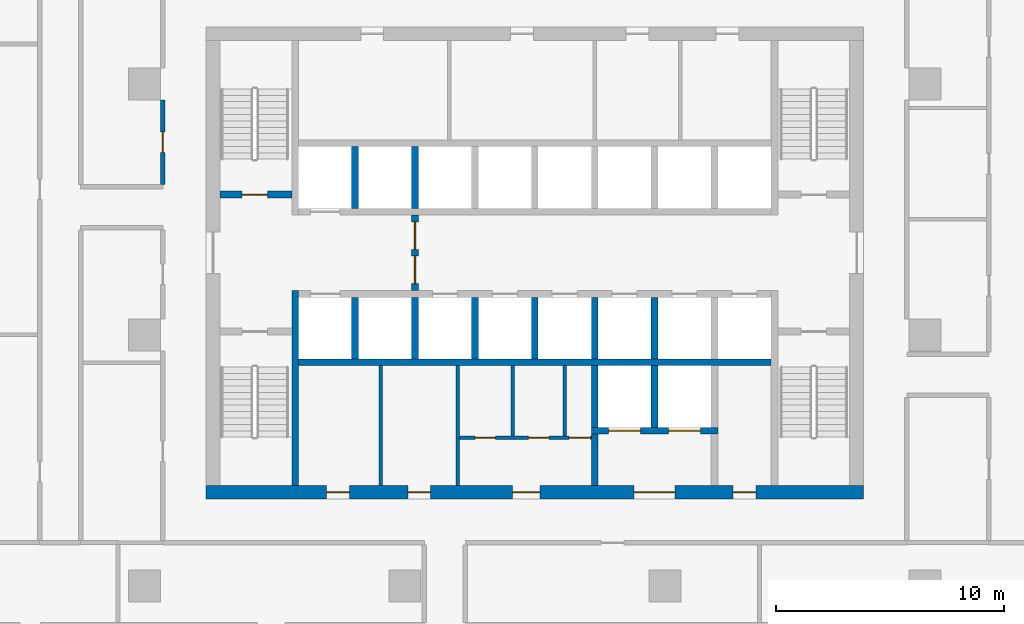
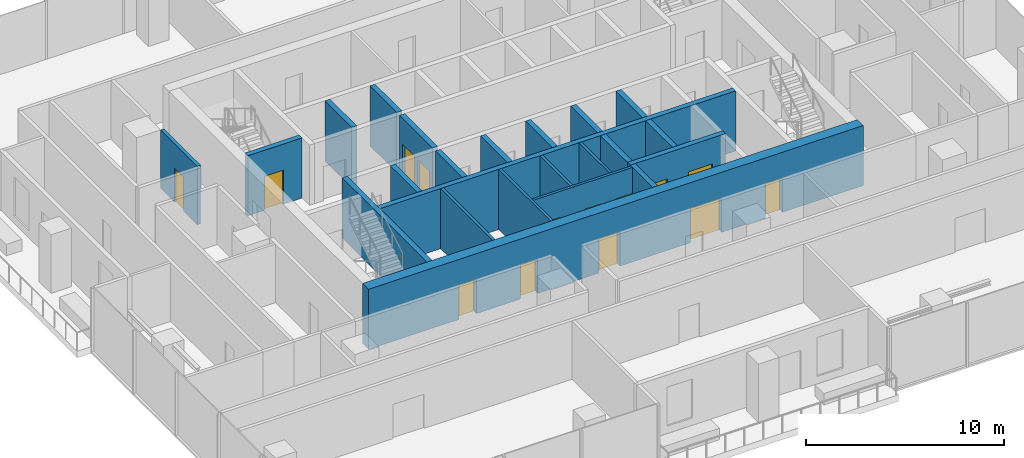
# One storey, part 8 of 15: 23 walls, 14 doors, 14 openings.
"""IFC4 building model written with IfcOpenShell, lengths in metres."""

from ifc_helpers import new_model, si_unit, direction, frame, frame_2d, origin, place, context, subcontext, project, spatial, rectangle, extrude, material, layer, layer_set, type_object, element, fill, save


model = new_model("IFC4")

# Units and contexts
model_context = context("Model", 3, precision=1e-05, world=origin(), true_north=direction((0.0, 1.0)))
body_context = subcontext(model_context, "Body", "Model", "MODEL_VIEW")
ifc_project = project(units=[si_unit("LENGTHUNIT", "METRE"), si_unit("AREAUNIT", "SQUARE_METRE"), si_unit("VOLUMEUNIT", "CUBIC_METRE"), si_unit("PLANEANGLEUNIT", "RADIAN"), si_unit("MASSUNIT", "GRAM", prefix="KILO")], contexts=[model_context])

# Site, building, storey
site_placement = place(None, origin())
site = spatial("IfcSite", under=ifc_project, at=site_placement, CompositionType="ELEMENT")
building_placement = place(site_placement, origin())
building = spatial("IfcBuilding", under=site, at=building_placement, Name="Mopane Tessera Tower", CompositionType="ELEMENT")
storey_placement = place(building_placement, frame((0.0, 0.0, 177.0)))
storey = spatial("IfcBuildingStorey", under=building, at=storey_placement, Name="L36", CompositionType="ELEMENT", Elevation=177.0)

# Walls
ifc_material_1 = material(Name="Fire-rated gypsum board partition")
ifc_layer_1 = layer(ifc_material_1, 0.14990234375)
ifc_layer_set_1 = layer_set([ifc_layer_1], Name="Fire-rated gypsum board partition")
wall_type_1 = type_object("IfcWallType", Name="Core room partition 150 mm", PredefinedType="PARTITIONING", material=ifc_layer_set_1)
for number, where, z_axis, x_axis, name in (
    (1, (-6.75, -6.60009765625, 0.0), (0.0, 0.0, 1.0), (0.0, 1.0, 0.0), "L36 Room partition"),
    (2, (-3.375, -6.60009765625, 0.0), (0.0, 0.0, 1.0), (0.0, 1.0, 0.0), "L36 Room partition"),
):
    element("IfcWall", number, at=place(storey_placement, frame(where, z_axis=z_axis, x_axis=x_axis)), inside=storey, type_object=wall_type_1, Name=name, PredefinedType="PARTITIONING", context=body_context, shape_type="SweptSolid", body=[
        extrude(rectangle(XDim=5.25, YDim=0.14990234375, at=frame_2d((2.625, 0.0))), origin(), (0.0, 0.0, 1.0), 3.699951171875),
    ])

# Wall, openings, doors
wall_1_placement = place(storey_placement, frame((-3.300048828125, -4.5, 0.0), z_axis=(0.0, 0.0, 1.0), x_axis=(1.0, 0.0, 0.0)))
wall_1 = element("IfcWall", 3, at=wall_1_placement, inside=storey, type_object=wall_type_1, Name="L36 WC partition", PredefinedType="PARTITIONING", context=body_context, shape_type="SweptSolid", body=[
    extrude(rectangle(XDim=5.775146484375, YDim=0.14990234375, at=frame_2d((2.8876953125, 0.0))), origin(), (0.0, 0.0, 1.0), 3.699951171875),
])
opening_1_placement = place(wall_1_placement, frame((0.675048828125, 0.0, 0.0)))
opening_1 = element("IfcOpeningElement", 4, at=opening_1_placement, cuts=wall_1, Name="Opening WD1", PredefinedType="OPENING", context=body_context, shape_type="SweptSolid", body=[
    extrude(rectangle(XDim=0.89990234375, YDim=2.10009765625, at=frame_2d((0.449951171875, 1.050048828125))), frame((0.0, 0.0869140625, 0.0), z_axis=(0.0, -1.0, 0.0), x_axis=(1.0, 0.0, 0.0)), (0.0, 0.0, 1.0), 0.173828125),
])
opening_2_placement = place(wall_1_placement, frame((3.014892578125, 0.0, 0.0)))
opening_2 = element("IfcOpeningElement", 5, at=opening_2_placement, cuts=wall_1, Name="Opening WD1", PredefinedType="OPENING", context=body_context, shape_type="SweptSolid", body=[
    extrude(rectangle(XDim=0.89990234375, YDim=2.10009765625, at=frame_2d((0.449951171875, 1.050048828125))), frame((0.0, 0.0869140625, 0.0), z_axis=(0.0, -1.0, 0.0), x_axis=(1.0, 0.0, 0.0)), (0.0, 0.0, 1.0), 0.173828125),
])
opening_3_placement = place(wall_1_placement, frame((4.7900390625, 0.0, 0.0)))
opening_3 = element("IfcOpeningElement", 6, at=opening_3_placement, cuts=wall_1, Name="Opening WD2", PredefinedType="OPENING", context=body_context, shape_type="SweptSolid", body=[
    extrude(rectangle(XDim=0.949951171875, YDim=2.10009765625, at=frame_2d((0.47509765625, 1.050048828125))), frame((0.0, 0.0869140625, 0.0), z_axis=(0.0, -1.0, 0.0), x_axis=(1.0, 0.0, 0.0)), (0.0, 0.0, 1.0), 0.173828125),
])
ifc_material_2 = material(Name="Timber door", Category="wood")
door_type_1 = type_object("IfcDoorType", Name="Accessible WC door 950 x 2100", OperationType="SINGLE_SWING_LEFT", PredefinedType="DOOR", material=ifc_material_2)
door_1_placement = place(opening_3_placement, origin())
door_1 = element("IfcDoor", 7, at=door_1_placement, inside=storey, type_object=door_type_1, Name="L36 Accessible WC door", OperationType="SINGLE_SWING_LEFT", OverallHeight=2.10009765625, OverallWidth=0.949951171875, PredefinedType="DOOR", context=body_context, shape_type="SweptSolid", body=[
    extrude(rectangle(XDim=0.949951171875, YDim=2.10009765625, at=frame_2d((0.47509765625, 1.050048828125))), frame((0.0, 0.02490234375, 0.0), z_axis=(0.0, -1.0, 0.0), x_axis=(1.0, 0.0, 0.0)), (0.0, 0.0, 1.0), 0.050048828125),
])
fill(opening_3, door_1)
ifc_material_3 = material(Name="Timber door", Category="wood")
door_type_2 = type_object("IfcDoorType", Name="WC cubicle door 900 x 2100", OperationType="SINGLE_SWING_LEFT", PredefinedType="DOOR", material=ifc_material_3)
door_2_placement = place(opening_1_placement, origin())
door_2 = element("IfcDoor", 8, at=door_2_placement, inside=storey, type_object=door_type_2, Name="L36 Men's WC door", OperationType="SINGLE_SWING_LEFT", OverallHeight=2.10009765625, OverallWidth=0.89990234375, PredefinedType="DOOR", context=body_context, shape_type="SweptSolid", body=[
    extrude(rectangle(XDim=0.89990234375, YDim=2.10009765625, at=frame_2d((0.449951171875, 1.050048828125))), frame((0.0, 0.02490234375, 0.0), z_axis=(0.0, -1.0, 0.0), x_axis=(1.0, 0.0, 0.0)), (0.0, 0.0, 1.0), 0.050048828125),
])
fill(opening_1, door_2)
door_3_placement = place(opening_2_placement, origin())
door_3 = element("IfcDoor", 9, at=door_3_placement, inside=storey, type_object=door_type_2, Name="L36 Women's WC door", OperationType="SINGLE_SWING_LEFT", OverallHeight=2.10009765625, OverallWidth=0.89990234375, PredefinedType="DOOR", context=body_context, shape_type="SweptSolid", body=[
    extrude(rectangle(XDim=0.89990234375, YDim=2.10009765625, at=frame_2d((0.449951171875, 1.050048828125))), frame((0.0, 0.02490234375, 0.0), z_axis=(0.0, -1.0, 0.0), x_axis=(1.0, 0.0, 0.0)), (0.0, 0.0, 1.0), 0.050048828125),
])
fill(opening_2, door_3)

# Walls
for number, where, z_axis, x_axis, name in (
    (10, (-0.97509765625, -4.425048828125, 0.0), (0.0, 0.0, 1.0), (0.0, 1.0, 0.0), "L36 WC partition"),
    (11, (1.304931640625, -4.425048828125, 0.0), (0.0, 0.0, 1.0), (0.0, 1.0, 0.0), "L36 WC partition"),
):
    element("IfcWall", number, at=place(storey_placement, frame(where, z_axis=z_axis, x_axis=x_axis)), inside=storey, type_object=wall_type_1, Name=name, PredefinedType="PARTITIONING", context=body_context, shape_type="SweptSolid", body=[
        extrude(rectangle(XDim=3.074951171875, YDim=0.14990234375, at=frame_2d((1.53759765625, 0.0))), origin(), (0.0, 0.0, 1.0), 3.699951171875),
    ])

# Wall, openings, doors
ifc_material_4 = material(Name="Concrete C70/85", Category="concrete")
ifc_layer_2 = layer(ifc_material_4, 0.60009765625)
ifc_layer_set_2 = layer_set([ifc_layer_2], Name="Concrete C70/85")
wall_type_2 = type_object("IfcWallType", Name="Core shear wall 600 mm", PredefinedType="SHEAR", material=ifc_layer_set_2)
wall_2_placement = place(storey_placement, frame((-14.39990234375, -6.89990234375, 0.0), z_axis=(0.0, 0.0, 1.0), x_axis=(1.0, 0.0, 0.0)))
wall_2 = element("IfcWall", 12, at=wall_2_placement, inside=storey, type_object=wall_type_2, Name="L36 Core wall south", PredefinedType="SHEAR", context=body_context, shape_type="SweptSolid", body=[
    extrude(rectangle(XDim=28.7998046875, YDim=0.60009765625, at=frame_2d((14.39990234375, 0.0))), origin(), (0.0, 0.0, 1.0), 3.699951171875),
])
opening_4_placement = place(wall_2_placement, frame((5.27490234375, 0.0, 0.0)))
opening_4 = element("IfcOpeningElement", 13, at=opening_4_placement, cuts=wall_2, Name="Opening RD1", PredefinedType="OPENING", context=body_context, shape_type="SweptSolid", body=[
    extrude(rectangle(XDim=1.0, YDim=2.10009765625, at=frame_2d((0.5, 1.050048828125))), frame((0.0, 0.31201171875, 0.0), z_axis=(0.0, -1.0, 0.0), x_axis=(1.0, 0.0, 0.0)), (0.0, 0.0, 1.0), 0.6240234375),
])
opening_5_placement = place(wall_2_placement, frame((8.83740234375, 0.0, 0.0)))
opening_5 = element("IfcOpeningElement", 14, at=opening_5_placement, cuts=wall_2, Name="Opening RD1", PredefinedType="OPENING", context=body_context, shape_type="SweptSolid", body=[
    extrude(rectangle(XDim=1.0, YDim=2.10009765625, at=frame_2d((0.5, 1.050048828125))), frame((0.0, 0.31201171875, 0.0), z_axis=(0.0, -1.0, 0.0), x_axis=(1.0, 0.0, 0.0)), (0.0, 0.0, 1.0), 0.6240234375),
])
opening_6_placement = place(wall_2_placement, frame((13.425048828125, 0.0, 0.0)))
opening_6 = element("IfcOpeningElement", 15, at=opening_6_placement, cuts=wall_2, Name="Opening WD3", PredefinedType="OPENING", context=body_context, shape_type="SweptSolid", body=[
    extrude(rectangle(XDim=1.199951171875, YDim=2.10009765625, at=frame_2d((0.60009765625, 1.050048828125))), frame((0.0, 0.31201171875, 0.0), z_axis=(0.0, -1.0, 0.0), x_axis=(1.0, 0.0, 0.0)), (0.0, 0.0, 1.0), 0.6240234375),
])
opening_7_placement = place(wall_2_placement, frame((18.75, 0.0, 0.0)))
opening_7 = element("IfcOpeningElement", 16, at=opening_7_placement, cuts=wall_2, Name="Opening SD2", PredefinedType="OPENING", context=body_context, shape_type="SweptSolid", body=[
    extrude(rectangle(XDim=1.800048828125, YDim=2.10009765625, at=frame_2d((0.89990234375, 1.050048828125))), frame((0.0, 0.31201171875, 0.0), z_axis=(0.0, -1.0, 0.0), x_axis=(1.0, 0.0, 0.0)), (0.0, 0.0, 1.0), 0.6240234375),
])
opening_8_placement = place(wall_2_placement, frame((23.08740234375, 0.0, 0.0)))
opening_8 = element("IfcOpeningElement", 17, at=opening_8_placement, cuts=wall_2, Name="Opening RD1", PredefinedType="OPENING", context=body_context, shape_type="SweptSolid", body=[
    extrude(rectangle(XDim=1.0, YDim=2.10009765625, at=frame_2d((0.5, 1.050048828125))), frame((0.0, 0.31201171875, 0.0), z_axis=(0.0, -1.0, 0.0), x_axis=(1.0, 0.0, 0.0)), (0.0, 0.0, 1.0), 0.6240234375),
])
ifc_material_5 = material(Name="Steel fire door", Category="steel")
door_type_3 = type_object("IfcDoorType", Name="Core entrance double door 1800 x 2100", OperationType="DOUBLE_DOOR_SINGLE_SWING", PredefinedType="DOOR", material=ifc_material_5)
door_4_placement = place(opening_7_placement, origin())
door_4 = element("IfcDoor", 18, at=door_4_placement, inside=storey, type_object=door_type_3, Name="L36 Service lobby door", OperationType="DOUBLE_DOOR_SINGLE_SWING", OverallHeight=2.10009765625, OverallWidth=1.800048828125, PredefinedType="DOOR", context=body_context, shape_type="SweptSolid", body=[
    extrude(rectangle(XDim=1.800048828125, YDim=2.10009765625, at=frame_2d((0.89990234375, 1.050048828125))), frame((0.0, 0.02490234375, 0.0), z_axis=(0.0, -1.0, 0.0), x_axis=(1.0, 0.0, 0.0)), (0.0, 0.0, 1.0), 0.050048828125),
])
fill(opening_7, door_4)
ifc_material_6 = material(Name="Timber door", Category="wood")
door_type_4 = type_object("IfcDoorType", Name="Core room door 1000 x 2100", OperationType="SINGLE_SWING_LEFT", PredefinedType="DOOR", material=ifc_material_6)
door_5_placement = place(opening_4_placement, origin())
door_5 = element("IfcDoor", 19, at=door_5_placement, inside=storey, type_object=door_type_4, Name="L36 Room door", OperationType="SINGLE_SWING_LEFT", OverallHeight=2.10009765625, OverallWidth=1.0, PredefinedType="DOOR", context=body_context, shape_type="SweptSolid", body=[
    extrude(rectangle(XDim=1.0, YDim=2.10009765625, at=frame_2d((0.5, 1.050048828125))), frame((0.0, 0.02490234375, 0.0), z_axis=(0.0, -1.0, 0.0), x_axis=(1.0, 0.0, 0.0)), (0.0, 0.0, 1.0), 0.050048828125),
])
fill(opening_4, door_5)
door_6_placement = place(opening_5_placement, origin())
door_6 = element("IfcDoor", 20, at=door_6_placement, inside=storey, type_object=door_type_4, Name="L36 Room door", OperationType="SINGLE_SWING_LEFT", OverallHeight=2.10009765625, OverallWidth=1.0, PredefinedType="DOOR", context=body_context, shape_type="SweptSolid", body=[
    extrude(rectangle(XDim=1.0, YDim=2.10009765625, at=frame_2d((0.5, 1.050048828125))), frame((0.0, 0.02490234375, 0.0), z_axis=(0.0, -1.0, 0.0), x_axis=(1.0, 0.0, 0.0)), (0.0, 0.0, 1.0), 0.050048828125),
])
fill(opening_5, door_6)
door_7_placement = place(opening_8_placement, origin())
door_7 = element("IfcDoor", 21, at=door_7_placement, inside=storey, type_object=door_type_4, Name="L36 Room door", OperationType="SINGLE_SWING_LEFT", OverallHeight=2.10009765625, OverallWidth=1.0, PredefinedType="DOOR", context=body_context, shape_type="SweptSolid", body=[
    extrude(rectangle(XDim=1.0, YDim=2.10009765625, at=frame_2d((0.5, 1.050048828125))), frame((0.0, 0.02490234375, 0.0), z_axis=(0.0, -1.0, 0.0), x_axis=(1.0, 0.0, 0.0)), (0.0, 0.0, 1.0), 0.050048828125),
])
fill(opening_8, door_7)
ifc_material_7 = material(Name="Timber door", Category="wood")
door_type_5 = type_object("IfcDoorType", Name="WC lobby door 1200 x 2100", OperationType="SINGLE_SWING_LEFT", PredefinedType="DOOR", material=ifc_material_7)
door_8_placement = place(opening_6_placement, origin())
door_8 = element("IfcDoor", 22, at=door_8_placement, inside=storey, type_object=door_type_5, Name="L36 WC lobby door", OperationType="SINGLE_SWING_LEFT", OverallHeight=2.10009765625, OverallWidth=1.199951171875, PredefinedType="DOOR", context=body_context, shape_type="SweptSolid", body=[
    extrude(rectangle(XDim=1.199951171875, YDim=2.10009765625, at=frame_2d((0.60009765625, 1.050048828125))), frame((0.0, 0.02490234375, 0.0), z_axis=(0.0, -1.0, 0.0), x_axis=(1.0, 0.0, 0.0)), (0.0, 0.0, 1.0), 0.050048828125),
])
fill(opening_6, door_8)

# Wall
ifc_material_8 = material(Name="Concrete C60/75", Category="concrete")
ifc_layer_3 = layer(ifc_material_8, 0.300048828125)
ifc_layer_set_3 = layer_set([ifc_layer_3], Name="Concrete C60/75")
wall_type_3 = type_object("IfcWallType", Name="Core spine wall 300 mm", PredefinedType="SHEAR", material=ifc_layer_set_3)
wall_3_placement = place(storey_placement, frame((-10.5, -6.60009765625, 0.0), z_axis=(0.0, 0.0, 1.0), x_axis=(0.0, 1.0, 0.0)))
element("IfcWall", 23, at=wall_3_placement, inside=storey, type_object=wall_type_3, Name="L36 Core spine wall", PredefinedType="SHEAR", context=body_context, shape_type="SweptSolid", body=[
    extrude(rectangle(XDim=8.550048828125, YDim=0.300048828125, at=frame_2d((4.27490234375, 0.0))), origin(), (0.0, 0.0, 1.0), 3.699951171875),
])

# Wall, opening, door
ifc_material_9 = material(Name="Gypsum board on steel studs, two layers each face, mineral wool infill", Category="steel")
ifc_layer_4 = layer(ifc_material_9, 0.199951171875)
ifc_layer_set_4 = layer_set([ifc_layer_4], Name="Gypsum board on steel studs, two layers each face, mineral wool infill")
wall_type_4 = type_object("IfcWallType", Name="Gypsum board corridor wall 200, rated EI 60", PredefinedType="PARTITIONING", material=ifc_layer_set_4)
wall_4_placement = place(storey_placement, frame((-16.300048828125, 6.60009765625, 0.0), z_axis=(0.0, 0.0, 1.0), x_axis=(0.0, 1.0, 0.0)))
wall_4 = element("IfcWall", 24, at=wall_4_placement, inside=storey, type_object=wall_type_4, Name="Partition L36:035", PredefinedType="PARTITIONING", context=body_context, shape_type="SweptSolid", body=[
    extrude(rectangle(XDim=3.699951171875, YDim=0.199951171875, at=frame_2d((1.85009765625, 0.0))), origin(), (0.0, 0.0, 1.0), 3.60009765625),
])
opening_9_placement = place(wall_4_placement, frame((1.39990234375, 0.0, 0.0)))
opening_9 = element("IfcOpeningElement", 25, at=opening_9_placement, cuts=wall_4, Name="Opening L36-13", PredefinedType="OPENING", context=body_context, shape_type="SweptSolid", body=[
    extrude(rectangle(XDim=0.89990234375, YDim=2.10009765625, at=frame_2d((0.449951171875, 1.050048828125))), frame((0.0, 0.112060546875, 0.0), z_axis=(0.0, -1.0, 0.0), x_axis=(1.0, 0.0, 0.0)), (0.0, 0.0, 1.0), 0.223876953125),
])
ifc_material_10 = material(Name="Timber veneered steel-framed fire door", Category="steel")
door_type_6 = type_object("IfcDoorType", Name="Fire door FD60 900 x 2100", OperationType="SINGLE_SWING_LEFT", PredefinedType="DOOR", material=ifc_material_10)
door_9_placement = place(opening_9_placement, origin())
door_9 = element("IfcDoor", 26, at=door_9_placement, inside=storey, type_object=door_type_6, Name="Door L36-13", ObjectType="D10A", OperationType="SINGLE_SWING_RIGHT", OverallHeight=2.10009765625, OverallWidth=0.89990234375, PredefinedType="DOOR", context=body_context, shape_type="SweptSolid", body=[
    extrude(rectangle(XDim=0.89990234375, YDim=2.10009765625, at=frame_2d((0.449951171875, 1.050048828125))), frame((0.0, 0.02490234375, 0.0), z_axis=(0.0, -1.0, 0.0), x_axis=(1.0, 0.0, 0.0)), (0.0, 0.0, 1.0), 0.050048828125),
])
fill(opening_9, door_9)

ifc_material_11 = material(Name="Concrete C50/60", Category="concrete")
ifc_layer_5 = layer(ifc_material_11, 0.300048828125)
ifc_layer_set_5 = layer_set([ifc_layer_5], Name="Concrete C50/60")
wall_type_5 = type_object("IfcWallType", Name="Lift and stair shaft wall 300 mm", PredefinedType="SOLIDWALL", material=ifc_layer_set_5)
wall_5_placement = place(storey_placement, frame((-13.800048828125, 6.14990234375, 0.0), z_axis=(0.0, 0.0, 1.0), x_axis=(1.0, 0.0, 0.0)))
wall_5 = element("IfcWall", 27, at=wall_5_placement, inside=storey, type_object=wall_type_5, Name="L36 Stair enclosure wall", PredefinedType="SOLIDWALL", context=body_context, shape_type="SweptSolid", body=[
    extrude(rectangle(XDim=3.150146484375, YDim=0.300048828125, at=frame_2d((1.5751953125, 0.0))), origin(), (0.0, 0.0, 1.0), 3.699951171875),
])
opening_10_placement = place(wall_5_placement, frame((0.97509765625, 0.0, 0.0)))
opening_10 = element("IfcOpeningElement", 28, at=opening_10_placement, cuts=wall_5, Name="Opening SD1", PredefinedType="OPENING", context=body_context, shape_type="SweptSolid", body=[
    extrude(rectangle(XDim=1.10009765625, YDim=2.10009765625, at=frame_2d((0.550048828125, 1.050048828125))), frame((0.0, 0.162109375, 0.0), z_axis=(0.0, -1.0, 0.0), x_axis=(1.0, 0.0, 0.0)), (0.0, 0.0, 1.0), 0.323974609375),
])
ifc_material_12 = material(Name="Steel fire door", Category="steel")
door_type_7 = type_object("IfcDoorType", Name="Stair fire door 1100 x 2100", OperationType="SINGLE_SWING_LEFT", PredefinedType="DOOR", material=ifc_material_12)
door_10_placement = place(opening_10_placement, origin())
door_10 = element("IfcDoor", 29, at=door_10_placement, inside=storey, type_object=door_type_7, Name="L36 Stair door ST2", OperationType="SINGLE_SWING_LEFT", OverallHeight=2.10009765625, OverallWidth=1.10009765625, PredefinedType="DOOR", context=body_context, shape_type="SweptSolid", body=[
    extrude(rectangle(XDim=1.10009765625, YDim=2.10009765625, at=frame_2d((0.550048828125, 1.050048828125))), frame((0.0, 0.02490234375, 0.0), z_axis=(0.0, -1.0, 0.0), x_axis=(1.0, 0.0, 0.0)), (0.0, 0.0, 1.0), 0.050048828125),
])
fill(opening_10, door_10)

# Walls
wall_6_placement = place(storey_placement, frame((-10.35009765625, -1.199951171875, 0.0), z_axis=(0.0, 0.0, 1.0), x_axis=(1.0, 0.0, 0.0)))
element("IfcWall", 30, at=wall_6_placement, inside=storey, type_object=wall_type_5, Name="L36 Lift shaft rear wall", PredefinedType="SOLIDWALL", context=body_context, shape_type="SweptSolid", body=[
    extrude(rectangle(XDim=20.7001953125, YDim=0.300048828125, at=frame_2d((10.35009765625, 0.0))), origin(), (0.0, 0.0, 1.0), 3.699951171875),
])
for number, where, z_axis, x_axis, name in (
    (31, (-7.875, -1.050048828125, 0.0), (0.0, 0.0, 1.0), (0.0, 1.0, 0.0), "L36 Lift shaft wall"),
    (32, (-5.25, -1.050048828125, 0.0), (0.0, 0.0, 1.0), (0.0, 1.0, 0.0), "L36 Lift shaft wall"),
    (33, (-2.625, -1.050048828125, 0.0), (0.0, 0.0, 1.0), (0.0, 1.0, 0.0), "L36 Lift shaft wall"),
    (34, (0.0, -1.050048828125, 0.0), (0.0, 0.0, 1.0), (0.0, 1.0, 0.0), "L36 Lift shaft wall"),
    (35, (2.625, -1.050048828125, 0.0), (0.0, 0.0, 1.0), (0.0, 1.0, 0.0), "L36 Lift shaft wall"),
    (36, (5.25, -1.050048828125, 0.0), (0.0, 0.0, 1.0), (0.0, 1.0, 0.0), "L36 Lift shaft wall"),
    (37, (-7.875, 5.550048828125, 0.0), (0.0, 0.0, 1.0), (0.0, 1.0, 0.0), "L36 Lift shaft wall"),
    (38, (-5.25, 5.550048828125, 0.0), (0.0, 0.0, 1.0), (0.0, 1.0, 0.0), "L36 Lift shaft wall"),
):
    element("IfcWall", number, at=place(storey_placement, frame(where, z_axis=z_axis, x_axis=x_axis)), inside=storey, type_object=wall_type_5, Name=name, PredefinedType="SOLIDWALL", context=body_context, shape_type="SweptSolid", body=[
        extrude(rectangle(XDim=2.699951171875, YDim=0.300048828125, at=frame_2d((1.35009765625, 0.0))), origin(), (0.0, 0.0, 1.0), 3.699951171875),
    ])

# Wall, openings, doors
wall_7_placement = place(storey_placement, frame((2.47509765625, -4.199951171875, 0.0), z_axis=(0.0, 0.0, 1.0), x_axis=(1.0, 0.0, 0.0)))
wall_7 = element("IfcWall", 39, at=wall_7_placement, inside=storey, type_object=wall_type_5, Name="L36 Lift shaft front wall", PredefinedType="SOLIDWALL", context=body_context, shape_type="SweptSolid", body=[
    extrude(rectangle(XDim=5.5498046875, YDim=0.300048828125, at=frame_2d((2.77490234375, 0.0))), origin(), (0.0, 0.0, 1.0), 3.699951171875),
])
opening_11_placement = place(wall_7_placement, frame((0.762451171875, 0.0, 0.0)))
opening_11 = element("IfcOpeningElement", 40, at=opening_11_placement, cuts=wall_7, Name="Opening LD3", PredefinedType="OPENING", context=body_context, shape_type="SweptSolid", body=[
    extrude(rectangle(XDim=1.39990234375, YDim=2.10009765625, at=frame_2d((0.699951171875, 1.050048828125))), frame((0.0, 0.162109375, 0.0), z_axis=(0.0, -1.0, 0.0), x_axis=(1.0, 0.0, 0.0)), (0.0, 0.0, 1.0), 0.323974609375),
])
opening_12_placement = place(wall_7_placement, frame((3.387451171875, 0.0, 0.0)))
opening_12 = element("IfcOpeningElement", 41, at=opening_12_placement, cuts=wall_7, Name="Opening LD3", PredefinedType="OPENING", context=body_context, shape_type="SweptSolid", body=[
    extrude(rectangle(XDim=1.39990234375, YDim=2.10009765625, at=frame_2d((0.699951171875, 1.050048828125))), frame((0.0, 0.162109375, 0.0), z_axis=(0.0, -1.0, 0.0), x_axis=(1.0, 0.0, 0.0)), (0.0, 0.0, 1.0), 0.323974609375),
])
ifc_material_13 = material(Name="Stainless steel sliding door", Category="steel")
door_type_8 = type_object("IfcDoorType", Name="Service lift landing door 1400 x 2100", OperationType="DOUBLE_DOOR_SLIDING", PredefinedType="DOOR", material=ifc_material_13)
door_11_placement = place(opening_11_placement, origin())
door_11 = element("IfcDoor", 42, at=door_11_placement, inside=storey, type_object=door_type_8, Name="L36 Lift landing door SV1", OperationType="DOUBLE_DOOR_SLIDING", OverallHeight=2.10009765625, OverallWidth=1.39990234375, PredefinedType="DOOR", context=body_context, shape_type="SweptSolid", body=[
    extrude(rectangle(XDim=1.39990234375, YDim=2.10009765625, at=frame_2d((0.699951171875, 1.050048828125))), frame((0.0, 0.02490234375, 0.0), z_axis=(0.0, -1.0, 0.0), x_axis=(1.0, 0.0, 0.0)), (0.0, 0.0, 1.0), 0.050048828125),
])
fill(opening_11, door_11)
door_12_placement = place(opening_12_placement, origin())
door_12 = element("IfcDoor", 43, at=door_12_placement, inside=storey, type_object=door_type_8, Name="L36 Lift landing door SV2", OperationType="DOUBLE_DOOR_SLIDING", OverallHeight=2.10009765625, OverallWidth=1.39990234375, PredefinedType="DOOR", context=body_context, shape_type="SweptSolid", body=[
    extrude(rectangle(XDim=1.39990234375, YDim=2.10009765625, at=frame_2d((0.699951171875, 1.050048828125))), frame((0.0, 0.02490234375, 0.0), z_axis=(0.0, -1.0, 0.0), x_axis=(1.0, 0.0, 0.0)), (0.0, 0.0, 1.0), 0.050048828125),
])
fill(opening_12, door_12)

# Walls
for number, where, z_axis, x_axis, name in (
    (44, (2.625, -4.050048828125, 0.0), (0.0, 0.0, 1.0), (0.0, 1.0, 0.0), "L36 Lift shaft wall"),
    (45, (5.25, -4.050048828125, 0.0), (0.0, 0.0, 1.0), (0.0, 1.0, 0.0), "L36 Lift shaft wall"),
):
    element("IfcWall", number, at=place(storey_placement, frame(where, z_axis=z_axis, x_axis=x_axis)), inside=storey, type_object=wall_type_5, Name=name, PredefinedType="SOLIDWALL", context=body_context, shape_type="SweptSolid", body=[
        extrude(rectangle(XDim=2.699951171875, YDim=0.300048828125, at=frame_2d((1.35009765625, 0.0))), origin(), (0.0, 0.0, 1.0), 3.699951171875),
    ])

# Wall, openings, doors
ifc_material_14 = material(Name="Concrete C50/60", Category="concrete")
ifc_layer_6 = layer(ifc_material_14, 0.300048828125)
ifc_layer_set_6 = layer_set([ifc_layer_6], Name="Concrete C50/60")
wall_type_6 = type_object("IfcWallType", Name="Lobby and refuge room wall 300 mm", PredefinedType="SOLIDWALL", material=ifc_layer_set_6)
wall_8_placement = place(storey_placement, frame((-5.25, 1.949951171875, 0.0), z_axis=(0.0, 0.0, 1.0), x_axis=(0.0, 1.0, 0.0)))
wall_8 = element("IfcWall", 46, at=wall_8_placement, inside=storey, type_object=wall_type_6, Name="L36 Fire-fighting lobby wall", PredefinedType="SOLIDWALL", context=body_context, shape_type="SweptSolid", body=[
    extrude(rectangle(XDim=3.300048828125, YDim=0.300048828125, at=frame_2d((1.64990234375, 0.0))), origin(), (0.0, 0.0, 1.0), 3.699951171875),
])
opening_13_placement = place(wall_8_placement, frame((0.300048828125, 0.0, 0.0)))
opening_13 = element("IfcOpeningElement", 47, at=opening_13_placement, cuts=wall_8, Name="Opening SD3", PredefinedType="OPENING", context=body_context, shape_type="SweptSolid", body=[
    extrude(rectangle(XDim=1.199951171875, YDim=2.10009765625, at=frame_2d((0.60009765625, 1.050048828125))), frame((0.0, 0.162109375, 0.0), z_axis=(0.0, -1.0, 0.0), x_axis=(1.0, 0.0, 0.0)), (0.0, 0.0, 1.0), 0.323974609375),
])
opening_14_placement = place(wall_8_placement, frame((1.800048828125, 0.0, 0.0)))
opening_14 = element("IfcOpeningElement", 48, at=opening_14_placement, cuts=wall_8, Name="Opening SD3", PredefinedType="OPENING", context=body_context, shape_type="SweptSolid", body=[
    extrude(rectangle(XDim=1.199951171875, YDim=2.10009765625, at=frame_2d((0.60009765625, 1.050048828125))), frame((0.0, 0.162109375, 0.0), z_axis=(0.0, -1.0, 0.0), x_axis=(1.0, 0.0, 0.0)), (0.0, 0.0, 1.0), 0.323974609375),
])
ifc_material_15 = material(Name="Steel fire door", Category="steel")
door_type_9 = type_object("IfcDoorType", Name="Lobby fire door 1200 x 2100", OperationType="SINGLE_SWING_LEFT", PredefinedType="DOOR", material=ifc_material_15)
door_13_placement = place(opening_13_placement, origin())
door_13 = element("IfcDoor", 49, at=door_13_placement, inside=storey, type_object=door_type_9, Name="L36 Fire-fighting lobby door", OperationType="SINGLE_SWING_LEFT", OverallHeight=2.10009765625, OverallWidth=1.199951171875, PredefinedType="DOOR", context=body_context, shape_type="SweptSolid", body=[
    extrude(rectangle(XDim=1.199951171875, YDim=2.10009765625, at=frame_2d((0.60009765625, 1.050048828125))), frame((0.0, 0.02490234375, 0.0), z_axis=(0.0, -1.0, 0.0), x_axis=(1.0, 0.0, 0.0)), (0.0, 0.0, 1.0), 0.050048828125),
])
fill(opening_13, door_13)
door_14_placement = place(opening_14_placement, origin())
door_14 = element("IfcDoor", 50, at=door_14_placement, inside=storey, type_object=door_type_9, Name="L36 Fire-fighting lobby door", OperationType="SINGLE_SWING_RIGHT", OverallHeight=2.10009765625, OverallWidth=1.199951171875, PredefinedType="DOOR", context=body_context, shape_type="SweptSolid", body=[
    extrude(rectangle(XDim=1.199951171875, YDim=2.10009765625, at=frame_2d((0.60009765625, 1.050048828125))), frame((0.0, 0.02490234375, 0.0), z_axis=(0.0, -1.0, 0.0), x_axis=(1.0, 0.0, 0.0)), (0.0, 0.0, 1.0), 0.050048828125),
])
fill(opening_14, door_14)

# Wall
wall_9_placement = place(storey_placement, frame((2.625, -6.60009765625, 0.0), z_axis=(0.0, 0.0, 1.0), x_axis=(0.0, 1.0, 0.0)))
element("IfcWall", 51, at=wall_9_placement, inside=storey, type_object=wall_type_6, Name="L36 Service lobby wall", PredefinedType="SOLIDWALL", context=body_context, shape_type="SweptSolid", body=[
    extrude(rectangle(XDim=2.25, YDim=0.300048828125, at=frame_2d((1.125, 0.0))), origin(), (0.0, 0.0, 1.0), 3.699951171875),
])

save(model, "model.ifc")
